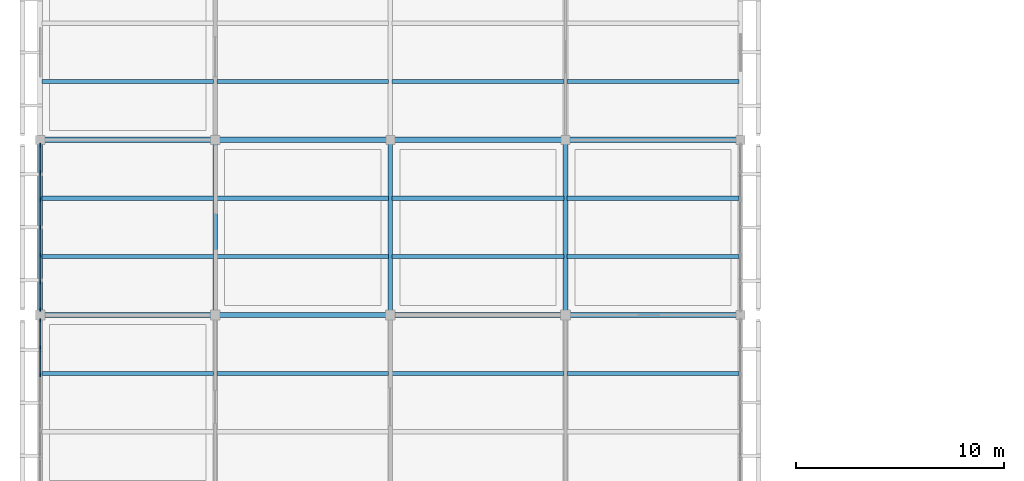
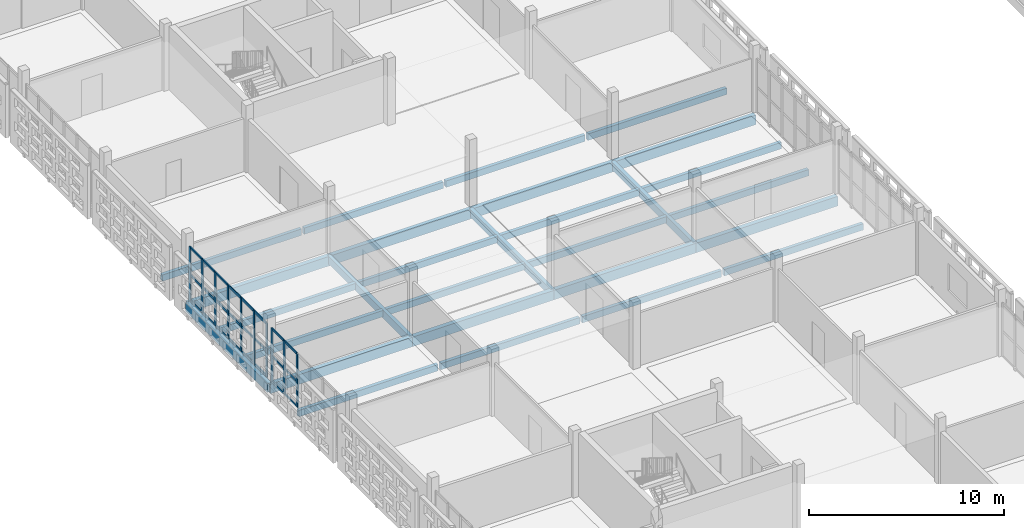
# One storey, part 41 of 140: 34 members, 28 beams, 2 elements without a shape of their own.
"""IFC4 building model written with IfcOpenShell, lengths in metres."""

from ifc_helpers import new_model, si_unit, direction, frame, origin, origin_2d, place, context, subcontext, project, spatial, rectangle, extrude, material, layer, layer_set, material_profile, profile_set, type_object, element, aggregate, save


model = new_model("IFC4")

# Units and contexts
model_context = context("Model", 3, precision=1e-05, world=origin(), true_north=direction((0.0, 1.0)))
body_context = subcontext(model_context, "Body", "Model", "MODEL_VIEW")
ifc_project = project(units=[si_unit("LENGTHUNIT", "METRE"), si_unit("AREAUNIT", "SQUARE_METRE"), si_unit("VOLUMEUNIT", "CUBIC_METRE"), si_unit("PLANEANGLEUNIT", "RADIAN"), si_unit("MASSUNIT", "GRAM", prefix="KILO")], contexts=[model_context])

# Site, building, storey
site_placement = place(None, origin())
site = spatial("IfcSite", under=ifc_project, at=site_placement, CompositionType="ELEMENT")
building_placement = place(site_placement, origin())
building = spatial("IfcBuilding", under=site, at=building_placement, Name="Varnapada Polytechnic", CompositionType="ELEMENT")
storey_placement = place(building_placement, frame((0.0, 0.0, 13.800048828125)))
storey = spatial("IfcBuildingStorey", under=building, at=storey_placement, Name="L03", CompositionType="ELEMENT", Elevation=13.800048828125)

# Beams
ifc_material_1 = material(Name="Glulam GL32h", Category="wood")
ifc_material_profile_1 = material_profile(ifc_material_1, rectangle(XDim=0.199951171875, YDim=0.39990234375, at=origin_2d()), Name="GL 200x400")
ifc_profile_set_1 = profile_set([ifc_material_profile_1], Name="Glulam GL32h")
beam_type_1 = type_object("IfcBeamType", Name="Library/laboratory glulam floor joist GJ-01 (GL 200x400)", PredefinedType="JOIST", material=ifc_profile_set_1)
for number, where, z_axis, x_axis, name in (
    (1, (0.080078125, 81.199951171875, -0.43994140625), (1.0, 0.0, 0.0), (0.0, 1.0, 0.0), "L03 floor joist 1/10.2"),
    (2, (0.080078125, 86.800048828125, -0.43994140625), (1.0, 0.0, 0.0), (0.0, 1.0, 0.0), "L03 floor joist 1/11.1"),
    (3, (0.080078125, 89.60009765625, -0.43994140625), (1.0, 0.0, 0.0), (0.0, 1.0, 0.0), "L03 floor joist 1/11.2"),
    (4, (0.080078125, 95.199951171875, -0.43994140625), (1.0, 0.0, 0.0), (0.0, 1.0, 0.0), "L03 floor joist 1/12.1"),
    (5, (8.47998046875, 81.199951171875, -0.43994140625), (1.0, 0.0, 0.0), (0.0, 1.0, 0.0), "L03 floor joist 2/10.2"),
    (6, (8.47998046875, 86.800048828125, -0.43994140625), (1.0, 0.0, 0.0), (0.0, 1.0, 0.0), "L03 floor joist 2/11.1"),
    (7, (8.47998046875, 89.60009765625, -0.43994140625), (1.0, 0.0, 0.0), (0.0, 1.0, 0.0), "L03 floor joist 2/11.2"),
    (8, (8.47998046875, 95.199951171875, -0.43994140625), (1.0, 0.0, 0.0), (0.0, 1.0, 0.0), "L03 floor joist 2/12.1"),
):
    element("IfcBeam", number, at=place(storey_placement, frame(where, z_axis=z_axis, x_axis=x_axis)), inside=storey, type_object=beam_type_1, Name=name, PredefinedType="JOIST", context=body_context, shape_type="SweptSolid", body=[
        extrude(rectangle(XDim=0.199951171875, YDim=0.39990234375, at=origin_2d()), origin(), (0.0, 0.0, 1.0), 8.239990234375),
    ])
for number, where, z_axis, x_axis, name in (
    (9, (16.8798828125, 81.199951171875, -0.43994140625), (1.0, 0.0, 0.0), (0.0, 1.0, 0.0), "L03 floor joist 3/10.2"),
    (10, (16.8798828125, 86.800048828125, -0.43994140625), (1.0, 0.0, 0.0), (0.0, 1.0, 0.0), "L03 floor joist 3/11.1"),
    (11, (16.8798828125, 89.60009765625, -0.43994140625), (1.0, 0.0, 0.0), (0.0, 1.0, 0.0), "L03 floor joist 3/11.2"),
    (12, (16.8798828125, 95.199951171875, -0.43994140625), (1.0, 0.0, 0.0), (0.0, 1.0, 0.0), "L03 floor joist 3/12.1"),
):
    element("IfcBeam", number, at=place(storey_placement, frame(where, z_axis=z_axis, x_axis=x_axis)), inside=storey, type_object=beam_type_1, Name=name, PredefinedType="JOIST", context=body_context, shape_type="SweptSolid", body=[
        extrude(rectangle(XDim=0.199951171875, YDim=0.39990234375, at=origin_2d()), origin(), (0.0, 0.0, 1.0), 8.240234375),
    ])
for number, where, z_axis, x_axis, name in (
    (13, (25.280029296875, 81.199951171875, -0.43994140625), (1.0, 0.0, 0.0), (0.0, 1.0, 0.0), "L03 floor joist 4/10.2"),
    (14, (25.280029296875, 86.800048828125, -0.43994140625), (1.0, 0.0, 0.0), (0.0, 1.0, 0.0), "L03 floor joist 4/11.1"),
    (15, (25.280029296875, 89.60009765625, -0.43994140625), (1.0, 0.0, 0.0), (0.0, 1.0, 0.0), "L03 floor joist 4/11.2"),
    (16, (25.280029296875, 95.199951171875, -0.43994140625), (1.0, 0.0, 0.0), (0.0, 1.0, 0.0), "L03 floor joist 4/12.1"),
):
    element("IfcBeam", number, at=place(storey_placement, frame(where, z_axis=z_axis, x_axis=x_axis)), inside=storey, type_object=beam_type_1, Name=name, PredefinedType="JOIST", context=body_context, shape_type="SweptSolid", body=[
        extrude(rectangle(XDim=0.199951171875, YDim=0.39990234375, at=origin_2d()), origin(), (0.0, 0.0, 1.0), 8.239990234375),
    ])

# Curtain wall, members
ifc_material_2 = material(Name="Double low-E laminated glass", Category="glass")
ifc_layer = layer(ifc_material_2, 0.179931640625)
ifc_layer_set = layer_set([ifc_layer], Name="Double low-E laminated glass")
curtain_wall_type = type_object("IfcCurtainWallType", Name="Curtain Wall CW-03", PredefinedType="NOTDEFINED", material=ifc_layer_set)
curtain_wall_1_placement = place(storey_placement, origin())
curtain_wall_1 = element("IfcCurtainWall", 17, at=curtain_wall_1_placement, inside=storey, type_object=curtain_wall_type, Name="L03 unitised curtain wall CW-03 (207)", PredefinedType="NOTDEFINED")
ifc_material_3 = material(Name="Anodised aluminium", Category="aluminium")
ifc_material_profile_2 = material_profile(ifc_material_3, rectangle(XDim=0.06494140625, YDim=0.179931640625, at=origin_2d()), Name="ALU M65x180")
ifc_profile_set_2 = profile_set([ifc_material_profile_2], Name="Anodised aluminium")
member_type_1 = type_object("IfcMemberType", Name="Mullion M-02", PredefinedType="MULLION", material=ifc_profile_set_2)
member_1_placement = place(storey_placement, frame((0.0, 81.1201171875, 0.0), z_axis=(0.0, 0.0, 1.0), x_axis=(-1.0, 0.0, 0.0)))
member_1 = element("IfcMember", 18, at=member_1_placement, type_object=member_type_1, Name="CW-03 mullion 5", PredefinedType="MULLION", context=body_context, shape_type="SweptSolid", body=[
    extrude(rectangle(XDim=0.06494140625, YDim=0.179931640625, at=origin_2d()), origin(), (0.0, 0.0, 1.0), 3.35986328125),
])
member_2_placement = place(storey_placement, frame((0.0, 82.445068359375, 0.0), z_axis=(0.0, 0.0, 1.0), x_axis=(-1.0, 0.0, 0.0)))
member_2 = element("IfcMember", 19, at=member_2_placement, type_object=member_type_1, Name="CW-03 mullion 6", PredefinedType="MULLION", context=body_context, shape_type="SweptSolid", body=[
    extrude(rectangle(XDim=0.06494140625, YDim=0.179931640625, at=origin_2d()), origin(), (0.0, 0.0, 1.0), 3.35986328125),
])
member_3_placement = place(storey_placement, frame((0.0, 83.737548828125, 0.0), z_axis=(0.0, 0.0, 1.0), x_axis=(-1.0, 0.0, 0.0)))
member_3 = element("IfcMember", 20, at=member_3_placement, type_object=member_type_1, Name="CW-03 mullion 7", PredefinedType="MULLION", context=body_context, shape_type="SweptSolid", body=[
    extrude(rectangle(XDim=0.06494140625, YDim=0.179931640625, at=origin_2d()), origin(), (0.0, 0.0, 1.0), 3.35986328125),
])

curtain_wall_2_placement = place(storey_placement, origin())
curtain_wall_2 = element("IfcCurtainWall", 21, at=curtain_wall_2_placement, inside=storey, type_object=curtain_wall_type, Name="L03 unitised curtain wall CW-03 (208)", PredefinedType="NOTDEFINED")
member_4_placement = place(storey_placement, frame((0.0, 84.262451171875, 0.0), z_axis=(0.0, 0.0, 1.0), x_axis=(-1.0, 0.0, 0.0)))
member_4 = element("IfcMember", 22, at=member_4_placement, type_object=member_type_1, Name="CW-03 mullion 1", PredefinedType="MULLION", context=body_context, shape_type="SweptSolid", body=[
    extrude(rectangle(XDim=0.06494140625, YDim=0.179931640625, at=origin_2d()), origin(), (0.0, 0.0, 1.0), 3.35986328125),
])
member_5_placement = place(storey_placement, frame((0.0, 85.554931640625, 0.0), z_axis=(0.0, 0.0, 1.0), x_axis=(-1.0, 0.0, 0.0)))
member_5 = element("IfcMember", 23, at=member_5_placement, type_object=member_type_1, Name="CW-03 mullion 2", PredefinedType="MULLION", context=body_context, shape_type="SweptSolid", body=[
    extrude(rectangle(XDim=0.06494140625, YDim=0.179931640625, at=origin_2d()), origin(), (0.0, 0.0, 1.0), 3.35986328125),
])
member_6_placement = place(storey_placement, frame((0.0, 86.8798828125, 0.0), z_axis=(0.0, 0.0, 1.0), x_axis=(-1.0, 0.0, 0.0)))
member_6 = element("IfcMember", 24, at=member_6_placement, type_object=member_type_1, Name="CW-03 mullion 3", PredefinedType="MULLION", context=body_context, shape_type="SweptSolid", body=[
    extrude(rectangle(XDim=0.06494140625, YDim=0.179931640625, at=origin_2d()), origin(), (0.0, 0.0, 1.0), 3.35986328125),
])
member_7_placement = place(storey_placement, frame((0.0, 88.205078125, 0.0), z_axis=(0.0, 0.0, 1.0), x_axis=(-1.0, 0.0, 0.0)))
member_7 = element("IfcMember", 25, at=member_7_placement, type_object=member_type_1, Name="CW-03 mullion 4", PredefinedType="MULLION", context=body_context, shape_type="SweptSolid", body=[
    extrude(rectangle(XDim=0.06494140625, YDim=0.179931640625, at=origin_2d()), origin(), (0.0, 0.0, 1.0), 3.35986328125),
])
member_8_placement = place(storey_placement, frame((0.0, 89.530029296875, 0.0), z_axis=(0.0, 0.0, 1.0), x_axis=(-1.0, 0.0, 0.0)))
member_8 = element("IfcMember", 26, at=member_8_placement, type_object=member_type_1, Name="CW-03 mullion 5", PredefinedType="MULLION", context=body_context, shape_type="SweptSolid", body=[
    extrude(rectangle(XDim=0.06494140625, YDim=0.179931640625, at=origin_2d()), origin(), (0.0, 0.0, 1.0), 3.35986328125),
])
member_9_placement = place(storey_placement, frame((0.0, 90.85498046875, 0.0), z_axis=(0.0, 0.0, 1.0), x_axis=(-1.0, 0.0, 0.0)))
member_9 = element("IfcMember", 27, at=member_9_placement, type_object=member_type_1, Name="CW-03 mullion 6", PredefinedType="MULLION", context=body_context, shape_type="SweptSolid", body=[
    extrude(rectangle(XDim=0.06494140625, YDim=0.179931640625, at=origin_2d()), origin(), (0.0, 0.0, 1.0), 3.35986328125),
])
member_10_placement = place(storey_placement, frame((0.0, 92.1474609375, 0.0), z_axis=(0.0, 0.0, 1.0), x_axis=(-1.0, 0.0, 0.0)))
member_10 = element("IfcMember", 28, at=member_10_placement, type_object=member_type_1, Name="CW-03 mullion 7", PredefinedType="MULLION", context=body_context, shape_type="SweptSolid", body=[
    extrude(rectangle(XDim=0.06494140625, YDim=0.179931640625, at=origin_2d()), origin(), (0.0, 0.0, 1.0), 3.35986328125),
])

# Beams
ifc_material_profile_3 = material_profile(ifc_material_1, rectangle(XDim=0.239990234375, YDim=0.56005859375, at=origin_2d()), Name="GL 240x560")
ifc_profile_set_3 = profile_set([ifc_material_profile_3], Name="Glulam GL32h")
beam_type_2 = type_object("IfcBeamType", Name="Perimeter glulam spandrel beam SP-02 (GL 240x560)", PredefinedType="SPANDREL", material=ifc_profile_set_3)
beam_placement = place(storey_placement, frame((0.0, 84.0, -0.52001953125), z_axis=(0.0, 1.0, 0.0), x_axis=(-1.0, 0.0, 0.0)))
element("IfcBeam", 29, at=beam_placement, inside=storey, type_object=beam_type_2, Name="L03 beam Y 11-12 at X1", PredefinedType="SPANDREL", context=body_context, shape_type="SweptSolid", body=[
    extrude(rectangle(XDim=0.239990234375, YDim=0.56005859375, at=origin_2d()), origin(), (0.0, 0.0, 1.0), 8.39990234375),
])
ifc_material_profile_4 = material_profile(ifc_material_1, rectangle(XDim=0.260009765625, YDim=0.60009765625, at=origin_2d()), Name="GL 260x600")
ifc_profile_set_4 = profile_set([ifc_material_profile_4], Name="Glulam GL32h")
beam_type_3 = type_object("IfcBeamType", Name="Seminar wing glulam girder GG-05 (GL 260x600)", PredefinedType="BEAM", material=ifc_profile_set_4)
for number, where, z_axis, x_axis, name in (
    (30, (0.0, 84.0, -0.5400390625), (1.0, 0.0, 0.0), (0.0, 1.0, 0.0), "L03 beam X 1-2 at Y11"),
    (31, (0.0, 92.39990234375, -0.5400390625), (1.0, 0.0, 0.0), (0.0, 1.0, 0.0), "L03 beam X 1-2 at Y12"),
):
    element("IfcBeam", number, at=place(storey_placement, frame(where, z_axis=z_axis, x_axis=x_axis)), inside=storey, type_object=beam_type_3, Name=name, PredefinedType="BEAM", context=body_context, shape_type="SweptSolid", body=[
        extrude(rectangle(XDim=0.260009765625, YDim=0.60009765625, at=origin_2d()), origin(), (0.0, 0.0, 1.0), 8.39990234375),
    ])
for number, where, z_axis, x_axis, name in (
    (32, (8.39990234375, 84.0, -0.5400390625), (1.0, 0.0, 0.0), (0.0, 1.0, 0.0), "L03 beam X 2-3 at Y11"),
    (33, (8.39990234375, 92.39990234375, -0.5400390625), (1.0, 0.0, 0.0), (0.0, 1.0, 0.0), "L03 beam X 2-3 at Y12"),
):
    element("IfcBeam", number, at=place(storey_placement, frame(where, z_axis=z_axis, x_axis=x_axis)), inside=storey, type_object=beam_type_3, Name=name, PredefinedType="BEAM", context=body_context, shape_type="SweptSolid", body=[
        extrude(rectangle(XDim=0.260009765625, YDim=0.60009765625, at=origin_2d()), origin(), (0.0, 0.0, 1.0), 8.400146484375),
    ])
for number, where, z_axis, x_axis, name in (
    (34, (16.800048828125, 84.0, -0.5400390625), (1.0, 0.0, 0.0), (0.0, 1.0, 0.0), "L03 beam X 3-4 at Y11"),
    (35, (16.800048828125, 92.39990234375, -0.5400390625), (1.0, 0.0, 0.0), (0.0, 1.0, 0.0), "L03 beam X 3-4 at Y12"),
):
    element("IfcBeam", number, at=place(storey_placement, frame(where, z_axis=z_axis, x_axis=x_axis)), inside=storey, type_object=beam_type_3, Name=name, PredefinedType="BEAM", context=body_context, shape_type="SweptSolid", body=[
        extrude(rectangle(XDim=0.260009765625, YDim=0.60009765625, at=origin_2d()), origin(), (0.0, 0.0, 1.0), 8.39990234375),
    ])
for number, where, z_axis, x_axis, name in (
    (36, (25.199951171875, 84.0, -0.5400390625), (1.0, 0.0, 0.0), (0.0, 1.0, 0.0), "L03 beam X 4-5 at Y11"),
    (37, (25.199951171875, 92.39990234375, -0.5400390625), (1.0, 0.0, 0.0), (0.0, 1.0, 0.0), "L03 beam X 4-5 at Y12"),
):
    element("IfcBeam", number, at=place(storey_placement, frame(where, z_axis=z_axis, x_axis=x_axis)), inside=storey, type_object=beam_type_3, Name=name, PredefinedType="BEAM", context=body_context, shape_type="SweptSolid", body=[
        extrude(rectangle(XDim=0.260009765625, YDim=0.60009765625, at=origin_2d()), origin(), (0.0, 0.0, 1.0), 8.400146484375),
    ])

# Member
ifc_material_profile_5 = material_profile(ifc_material_3, rectangle(XDim=0.06494140625, YDim=0.139892578125, at=origin_2d()), Name="ALU T65x140")
ifc_profile_set_5 = profile_set([ifc_material_profile_5], Name="Anodised aluminium")
member_type_2 = type_object("IfcMemberType", Name="Transom T-02", PredefinedType="USERDEFINED", material=ifc_profile_set_5)
member_11_placement = place(storey_placement, frame((0.0, 81.152587890625, 0.032470703125), z_axis=(0.0, 1.0, 0.0), x_axis=(-1.0, 0.0, 0.0)))
member_11 = element("IfcMember", 38, at=member_11_placement, type_object=member_type_2, Name="CW-03 transom 5.1", ObjectType="TRANSOM", PredefinedType="USERDEFINED", context=body_context, shape_type="SweptSolid", body=[
    extrude(rectangle(XDim=0.06494140625, YDim=0.139892578125, at=origin_2d()), origin(), (0.0, 0.0, 1.0), 1.260009765625),
])

member_12_placement = place(storey_placement, frame((0.0, 81.152587890625, 1.61279296875), z_axis=(0.0, 1.0, 0.0), x_axis=(-1.0, 0.0, 0.0)))
member_12 = element("IfcMember", 39, at=member_12_placement, type_object=member_type_2, Name="CW-03 transom 5.2", ObjectType="TRANSOM", PredefinedType="USERDEFINED", context=body_context, shape_type="SweptSolid", body=[
    extrude(rectangle(XDim=0.06494140625, YDim=0.139892578125, at=origin_2d()), origin(), (0.0, 0.0, 1.0), 1.260009765625),
])

member_13_placement = place(storey_placement, frame((0.0, 81.152587890625, 3.327392578125), z_axis=(0.0, 1.0, 0.0), x_axis=(-1.0, 0.0, 0.0)))
member_13 = element("IfcMember", 40, at=member_13_placement, type_object=member_type_2, Name="CW-03 transom 5.3", ObjectType="TRANSOM", PredefinedType="USERDEFINED", context=body_context, shape_type="SweptSolid", body=[
    extrude(rectangle(XDim=0.06494140625, YDim=0.139892578125, at=origin_2d()), origin(), (0.0, 0.0, 1.0), 1.260009765625),
])

member_14_placement = place(storey_placement, frame((0.0, 82.4775390625, 0.032470703125), z_axis=(0.0, 1.0, 0.0), x_axis=(-1.0, 0.0, 0.0)))
member_14 = element("IfcMember", 41, at=member_14_placement, type_object=member_type_2, Name="CW-03 transom 6.1", ObjectType="TRANSOM", PredefinedType="USERDEFINED", context=body_context, shape_type="SweptSolid", body=[
    extrude(rectangle(XDim=0.06494140625, YDim=0.139892578125, at=origin_2d()), origin(), (0.0, 0.0, 1.0), 1.2275390625),
])

member_15_placement = place(storey_placement, frame((0.0, 82.4775390625, 1.61279296875), z_axis=(0.0, 1.0, 0.0), x_axis=(-1.0, 0.0, 0.0)))
member_15 = element("IfcMember", 42, at=member_15_placement, type_object=member_type_2, Name="CW-03 transom 6.2", ObjectType="TRANSOM", PredefinedType="USERDEFINED", context=body_context, shape_type="SweptSolid", body=[
    extrude(rectangle(XDim=0.06494140625, YDim=0.139892578125, at=origin_2d()), origin(), (0.0, 0.0, 1.0), 1.2275390625),
])

member_16_placement = place(storey_placement, frame((0.0, 82.4775390625, 3.327392578125), z_axis=(0.0, 1.0, 0.0), x_axis=(-1.0, 0.0, 0.0)))
member_16 = element("IfcMember", 43, at=member_16_placement, type_object=member_type_2, Name="CW-03 transom 6.3", ObjectType="TRANSOM", PredefinedType="USERDEFINED", context=body_context, shape_type="SweptSolid", body=[
    extrude(rectangle(XDim=0.06494140625, YDim=0.139892578125, at=origin_2d()), origin(), (0.0, 0.0, 1.0), 1.2275390625),
])

aggregate(curtain_wall_1, [member_1, member_2, member_3, member_11, member_12, member_13, member_14, member_15, member_16])

member_17_placement = place(storey_placement, frame((0.0, 84.294921875, 0.032470703125), z_axis=(0.0, 1.0, 0.0), x_axis=(-1.0, 0.0, 0.0)))
member_17 = element("IfcMember", 44, at=member_17_placement, type_object=member_type_2, Name="CW-03 transom 1.1", ObjectType="TRANSOM", PredefinedType="USERDEFINED", context=body_context, shape_type="SweptSolid", body=[
    extrude(rectangle(XDim=0.06494140625, YDim=0.139892578125, at=origin_2d()), origin(), (0.0, 0.0, 1.0), 1.2275390625),
])

member_18_placement = place(storey_placement, frame((0.0, 84.294921875, 1.61279296875), z_axis=(0.0, 1.0, 0.0), x_axis=(-1.0, 0.0, 0.0)))
member_18 = element("IfcMember", 45, at=member_18_placement, type_object=member_type_2, Name="CW-03 transom 1.2", ObjectType="TRANSOM", PredefinedType="USERDEFINED", context=body_context, shape_type="SweptSolid", body=[
    extrude(rectangle(XDim=0.06494140625, YDim=0.139892578125, at=origin_2d()), origin(), (0.0, 0.0, 1.0), 1.2275390625),
])

member_19_placement = place(storey_placement, frame((0.0, 84.294921875, 3.327392578125), z_axis=(0.0, 1.0, 0.0), x_axis=(-1.0, 0.0, 0.0)))
member_19 = element("IfcMember", 46, at=member_19_placement, type_object=member_type_2, Name="CW-03 transom 1.3", ObjectType="TRANSOM", PredefinedType="USERDEFINED", context=body_context, shape_type="SweptSolid", body=[
    extrude(rectangle(XDim=0.06494140625, YDim=0.139892578125, at=origin_2d()), origin(), (0.0, 0.0, 1.0), 1.2275390625),
])

member_20_placement = place(storey_placement, frame((0.0, 85.58740234375, 0.032470703125), z_axis=(0.0, 1.0, 0.0), x_axis=(-1.0, 0.0, 0.0)))
member_20 = element("IfcMember", 47, at=member_20_placement, type_object=member_type_2, Name="CW-03 transom 2.1", ObjectType="TRANSOM", PredefinedType="USERDEFINED", context=body_context, shape_type="SweptSolid", body=[
    extrude(rectangle(XDim=0.06494140625, YDim=0.139892578125, at=origin_2d()), origin(), (0.0, 0.0, 1.0), 1.260009765625),
])

member_21_placement = place(storey_placement, frame((0.0, 85.58740234375, 1.61279296875), z_axis=(0.0, 1.0, 0.0), x_axis=(-1.0, 0.0, 0.0)))
member_21 = element("IfcMember", 48, at=member_21_placement, type_object=member_type_2, Name="CW-03 transom 2.2", ObjectType="TRANSOM", PredefinedType="USERDEFINED", context=body_context, shape_type="SweptSolid", body=[
    extrude(rectangle(XDim=0.06494140625, YDim=0.139892578125, at=origin_2d()), origin(), (0.0, 0.0, 1.0), 1.260009765625),
])

member_22_placement = place(storey_placement, frame((0.0, 85.58740234375, 3.327392578125), z_axis=(0.0, 1.0, 0.0), x_axis=(-1.0, 0.0, 0.0)))
member_22 = element("IfcMember", 49, at=member_22_placement, type_object=member_type_2, Name="CW-03 transom 2.3", ObjectType="TRANSOM", PredefinedType="USERDEFINED", context=body_context, shape_type="SweptSolid", body=[
    extrude(rectangle(XDim=0.06494140625, YDim=0.139892578125, at=origin_2d()), origin(), (0.0, 0.0, 1.0), 1.260009765625),
])

member_23_placement = place(storey_placement, frame((0.0, 86.91259765625, 0.032470703125), z_axis=(0.0, 1.0, 0.0), x_axis=(-1.0, 0.0, 0.0)))
member_23 = element("IfcMember", 50, at=member_23_placement, type_object=member_type_2, Name="CW-03 transom 3.1", ObjectType="TRANSOM", PredefinedType="USERDEFINED", context=body_context, shape_type="SweptSolid", body=[
    extrude(rectangle(XDim=0.06494140625, YDim=0.139892578125, at=origin_2d()), origin(), (0.0, 0.0, 1.0), 1.260009765625),
])

member_24_placement = place(storey_placement, frame((0.0, 86.91259765625, 1.61279296875), z_axis=(0.0, 1.0, 0.0), x_axis=(-1.0, 0.0, 0.0)))
member_24 = element("IfcMember", 51, at=member_24_placement, type_object=member_type_2, Name="CW-03 transom 3.2", ObjectType="TRANSOM", PredefinedType="USERDEFINED", context=body_context, shape_type="SweptSolid", body=[
    extrude(rectangle(XDim=0.06494140625, YDim=0.139892578125, at=origin_2d()), origin(), (0.0, 0.0, 1.0), 1.260009765625),
])

member_25_placement = place(storey_placement, frame((0.0, 86.91259765625, 3.327392578125), z_axis=(0.0, 1.0, 0.0), x_axis=(-1.0, 0.0, 0.0)))
member_25 = element("IfcMember", 52, at=member_25_placement, type_object=member_type_2, Name="CW-03 transom 3.3", ObjectType="TRANSOM", PredefinedType="USERDEFINED", context=body_context, shape_type="SweptSolid", body=[
    extrude(rectangle(XDim=0.06494140625, YDim=0.139892578125, at=origin_2d()), origin(), (0.0, 0.0, 1.0), 1.260009765625),
])

member_26_placement = place(storey_placement, frame((0.0, 88.237548828125, 0.032470703125), z_axis=(0.0, 1.0, 0.0), x_axis=(-1.0, 0.0, 0.0)))
member_26 = element("IfcMember", 53, at=member_26_placement, type_object=member_type_2, Name="CW-03 transom 4.1", ObjectType="TRANSOM", PredefinedType="USERDEFINED", context=body_context, shape_type="SweptSolid", body=[
    extrude(rectangle(XDim=0.06494140625, YDim=0.139892578125, at=origin_2d()), origin(), (0.0, 0.0, 1.0), 1.260009765625),
])

member_27_placement = place(storey_placement, frame((0.0, 88.237548828125, 1.61279296875), z_axis=(0.0, 1.0, 0.0), x_axis=(-1.0, 0.0, 0.0)))
member_27 = element("IfcMember", 54, at=member_27_placement, type_object=member_type_2, Name="CW-03 transom 4.2", ObjectType="TRANSOM", PredefinedType="USERDEFINED", context=body_context, shape_type="SweptSolid", body=[
    extrude(rectangle(XDim=0.06494140625, YDim=0.139892578125, at=origin_2d()), origin(), (0.0, 0.0, 1.0), 1.260009765625),
])

member_28_placement = place(storey_placement, frame((0.0, 88.237548828125, 3.327392578125), z_axis=(0.0, 1.0, 0.0), x_axis=(-1.0, 0.0, 0.0)))
member_28 = element("IfcMember", 55, at=member_28_placement, type_object=member_type_2, Name="CW-03 transom 4.3", ObjectType="TRANSOM", PredefinedType="USERDEFINED", context=body_context, shape_type="SweptSolid", body=[
    extrude(rectangle(XDim=0.06494140625, YDim=0.139892578125, at=origin_2d()), origin(), (0.0, 0.0, 1.0), 1.260009765625),
])

member_29_placement = place(storey_placement, frame((0.0, 89.5625, 0.032470703125), z_axis=(0.0, 1.0, 0.0), x_axis=(-1.0, 0.0, 0.0)))
member_29 = element("IfcMember", 56, at=member_29_placement, type_object=member_type_2, Name="CW-03 transom 5.1", ObjectType="TRANSOM", PredefinedType="USERDEFINED", context=body_context, shape_type="SweptSolid", body=[
    extrude(rectangle(XDim=0.06494140625, YDim=0.139892578125, at=origin_2d()), origin(), (0.0, 0.0, 1.0), 1.260009765625),
])

member_30_placement = place(storey_placement, frame((0.0, 89.5625, 1.61279296875), z_axis=(0.0, 1.0, 0.0), x_axis=(-1.0, 0.0, 0.0)))
member_30 = element("IfcMember", 57, at=member_30_placement, type_object=member_type_2, Name="CW-03 transom 5.2", ObjectType="TRANSOM", PredefinedType="USERDEFINED", context=body_context, shape_type="SweptSolid", body=[
    extrude(rectangle(XDim=0.06494140625, YDim=0.139892578125, at=origin_2d()), origin(), (0.0, 0.0, 1.0), 1.260009765625),
])

member_31_placement = place(storey_placement, frame((0.0, 89.5625, 3.327392578125), z_axis=(0.0, 1.0, 0.0), x_axis=(-1.0, 0.0, 0.0)))
member_31 = element("IfcMember", 58, at=member_31_placement, type_object=member_type_2, Name="CW-03 transom 5.3", ObjectType="TRANSOM", PredefinedType="USERDEFINED", context=body_context, shape_type="SweptSolid", body=[
    extrude(rectangle(XDim=0.06494140625, YDim=0.139892578125, at=origin_2d()), origin(), (0.0, 0.0, 1.0), 1.260009765625),
])

member_32_placement = place(storey_placement, frame((0.0, 90.887451171875, 0.032470703125), z_axis=(0.0, 1.0, 0.0), x_axis=(-1.0, 0.0, 0.0)))
member_32 = element("IfcMember", 59, at=member_32_placement, type_object=member_type_2, Name="CW-03 transom 6.1", ObjectType="TRANSOM", PredefinedType="USERDEFINED", context=body_context, shape_type="SweptSolid", body=[
    extrude(rectangle(XDim=0.06494140625, YDim=0.139892578125, at=origin_2d()), origin(), (0.0, 0.0, 1.0), 1.2275390625),
])

member_33_placement = place(storey_placement, frame((0.0, 90.887451171875, 1.61279296875), z_axis=(0.0, 1.0, 0.0), x_axis=(-1.0, 0.0, 0.0)))
member_33 = element("IfcMember", 60, at=member_33_placement, type_object=member_type_2, Name="CW-03 transom 6.2", ObjectType="TRANSOM", PredefinedType="USERDEFINED", context=body_context, shape_type="SweptSolid", body=[
    extrude(rectangle(XDim=0.06494140625, YDim=0.139892578125, at=origin_2d()), origin(), (0.0, 0.0, 1.0), 1.2275390625),
])

member_34_placement = place(storey_placement, frame((0.0, 90.887451171875, 3.327392578125), z_axis=(0.0, 1.0, 0.0), x_axis=(-1.0, 0.0, 0.0)))
member_34 = element("IfcMember", 61, at=member_34_placement, type_object=member_type_2, Name="CW-03 transom 6.3", ObjectType="TRANSOM", PredefinedType="USERDEFINED", context=body_context, shape_type="SweptSolid", body=[
    extrude(rectangle(XDim=0.06494140625, YDim=0.139892578125, at=origin_2d()), origin(), (0.0, 0.0, 1.0), 1.2275390625),
])

aggregate(curtain_wall_2, [member_4, member_5, member_6, member_7, member_8, member_9, member_10, member_17, member_18, member_19, member_20, member_21, member_22, member_23, member_24, member_25, member_26, member_27, member_28, member_29, member_30, member_31, member_32, member_33, member_34])

# Beams
ifc_material_profile_6 = material_profile(ifc_material_1, rectangle(XDim=0.219970703125, YDim=0.47998046875, at=origin_2d()), Name="GL 220x480")
ifc_profile_set_6 = profile_set([ifc_material_profile_6], Name="Glulam GL32h")
beam_type_4 = type_object("IfcBeamType", Name="Upper floor glulam tie beam GB-11 (GL 220x480)", PredefinedType="BEAM", material=ifc_profile_set_6)
for number, where, z_axis, x_axis, name in (
    (62, (8.39990234375, 84.0, -0.47998046875), (0.0, 1.0, 0.0), (-1.0, 0.0, 0.0), "L03 beam Y 11-12 at X2"),
    (63, (16.800048828125, 84.0, -0.47998046875), (0.0, 1.0, 0.0), (-1.0, 0.0, 0.0), "L03 beam Y 11-12 at X3"),
    (64, (25.199951171875, 84.0, -0.47998046875), (0.0, 1.0, 0.0), (-1.0, 0.0, 0.0), "L03 beam Y 11-12 at X4"),
):
    element("IfcBeam", number, at=place(storey_placement, frame(where, z_axis=z_axis, x_axis=x_axis)), inside=storey, type_object=beam_type_4, Name=name, PredefinedType="BEAM", context=body_context, shape_type="SweptSolid", body=[
        extrude(rectangle(XDim=0.219970703125, YDim=0.47998046875, at=origin_2d()), origin(), (0.0, 0.0, 1.0), 8.39990234375),
    ])

save(model, "model.ifc")
